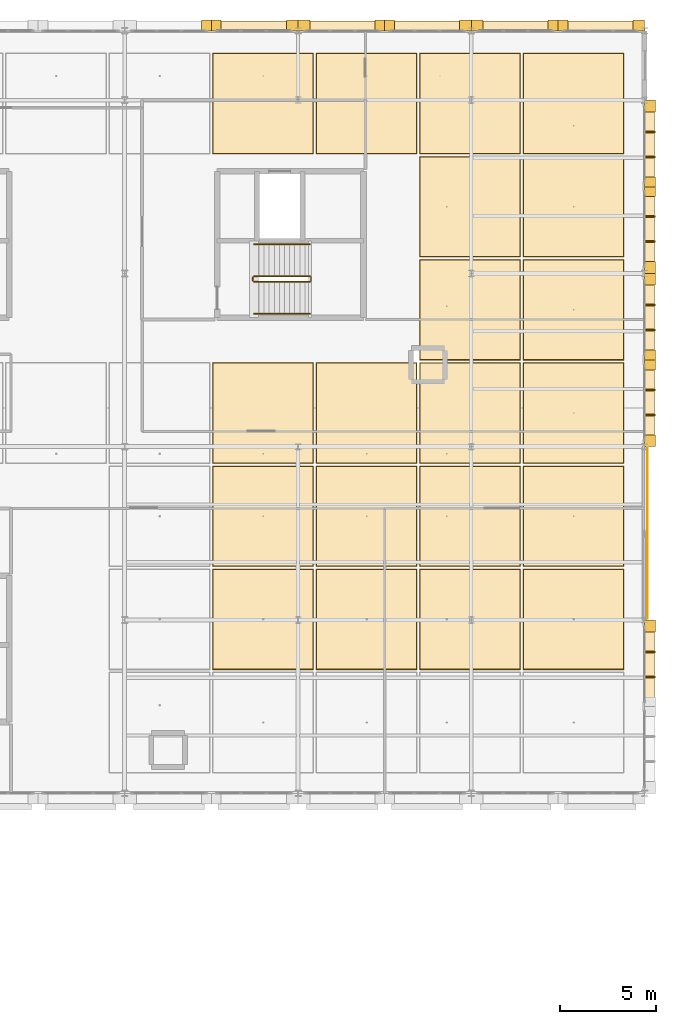
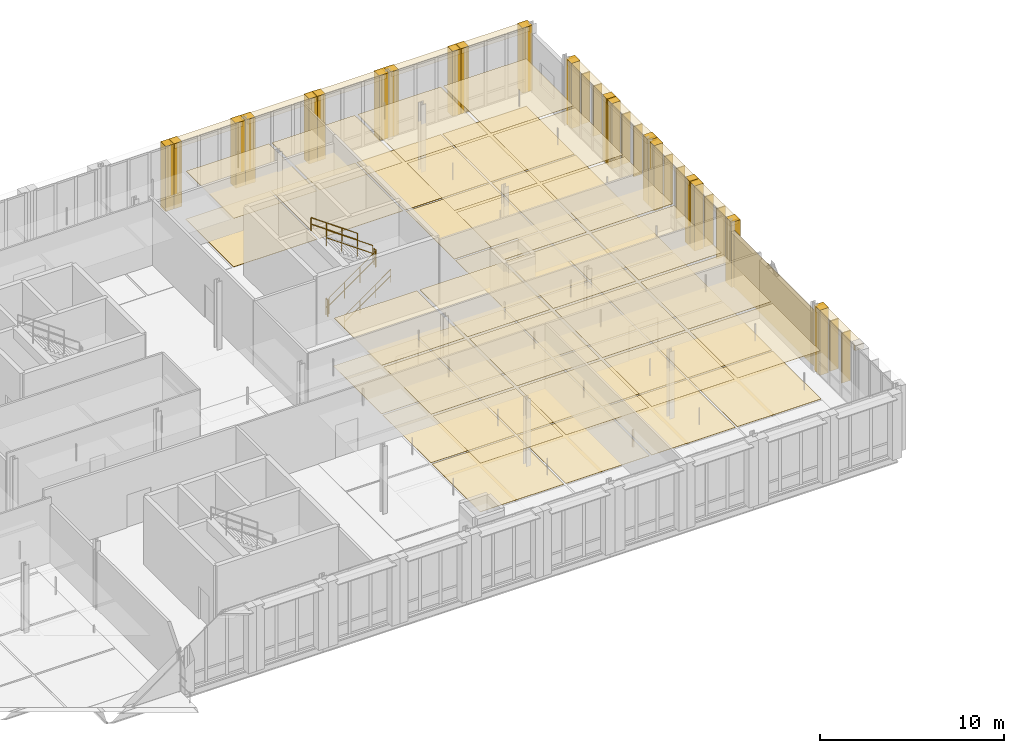
# One storey, part 89 of 89: 71 coverings, 10 shading devices, 6 railings.
"""IFC4 building model written with IfcOpenShell, lengths in metres."""

from ifc_helpers import new_model, si_unit, direction, frame, origin, origin_2d, place, context, subcontext, project, spatial, rectangle, circle, extrude, material, layer, layer_set, type_object, element, save


model = new_model("IFC4")

# Units and contexts
model_context = context("Model", 3, precision=1e-05, world=origin(), true_north=direction((0.0, 1.0)))
body_context = subcontext(model_context, "Body", "Model", "MODEL_VIEW")
ifc_project = project(units=[si_unit("LENGTHUNIT", "METRE"), si_unit("AREAUNIT", "SQUARE_METRE"), si_unit("VOLUMEUNIT", "CUBIC_METRE"), si_unit("PLANEANGLEUNIT", "RADIAN"), si_unit("MASSUNIT", "GRAM", prefix="KILO"), si_unit("THERMODYNAMICTEMPERATUREUNIT", "KELVIN"), si_unit("POWERUNIT", "WATT")], contexts=[model_context])

# Site, building, storey
site_placement = place(None, origin())
site = spatial("IfcSite", under=ifc_project, at=site_placement, CompositionType="ELEMENT")
building_placement = place(site_placement, origin())
building = spatial("IfcBuilding", under=site, at=building_placement, Name="Tallowbark Science Centre", CompositionType="ELEMENT")
storey_placement = place(building_placement, frame((0.0, 0.0, 14.39990234375)))
storey = spatial("IfcBuildingStorey", under=building, at=storey_placement, Name="L03", CompositionType="ELEMENT", Elevation=14.39990234375)

# Coverings
ifc_material_1 = material(Name="Mineral-Fibre Acoustic Ceiling Tile Grid")
ifc_layer_1 = layer(ifc_material_1, 0.01806640625)
ifc_layer_set_1 = layer_set([ifc_layer_1], Name="Mineral-Fibre Acoustic Ceiling Tile Grid")
covering_type_1 = type_object("IfcCoveringType", Name="CLG-ACT-18", PredefinedType="CEILING", material=ifc_layer_set_1)
for number, where, z_axis, x_axis, name in (
    (1, (137.6875, 81.03564453125, 3.191162109375), (0.0, 0.0, 1.0), (1.0, 0.0, 0.0), "Suspended Ceiling L03-1045"),
    (2, (137.6875, 86.392822265625, 3.191162109375), (0.0, 0.0, 1.0), (1.0, 0.0, 0.0), "Suspended Ceiling L03-1046"),
    (3, (137.6875, 91.75, 3.191162109375), (0.0, 0.0, 1.0), (1.0, 0.0, 0.0), "Suspended Ceiling L03-1047"),
    (4, (137.6875, 107.8212890625, 3.191162109375), (0.0, 0.0, 1.0), (1.0, 0.0, 0.0), "Suspended Ceiling L03-1048"),
    (5, (143.0625, 81.03564453125, 3.191162109375), (0.0, 0.0, 1.0), (1.0, 0.0, 0.0), "Suspended Ceiling L03-1050"),
    (6, (143.0625, 86.392822265625, 3.191162109375), (0.0, 0.0, 1.0), (1.0, 0.0, 0.0), "Suspended Ceiling L03-1051"),
    (7, (143.0625, 91.75, 3.191162109375), (0.0, 0.0, 1.0), (1.0, 0.0, 0.0), "Suspended Ceiling L03-1052"),
    (8, (143.0625, 107.8212890625, 3.191162109375), (0.0, 0.0, 1.0), (1.0, 0.0, 0.0), "Suspended Ceiling L03-1053"),
    (9, (148.4375, 81.03564453125, 3.191162109375), (0.0, 0.0, 1.0), (1.0, 0.0, 0.0), "Suspended Ceiling L03-1055"),
    (10, (148.4375, 86.392822265625, 3.191162109375), (0.0, 0.0, 1.0), (1.0, 0.0, 0.0), "Suspended Ceiling L03-1056"),
    (11, (148.4375, 91.75, 3.191162109375), (0.0, 0.0, 1.0), (1.0, 0.0, 0.0), "Suspended Ceiling L03-1057"),
    (12, (148.4375, 97.107177734375, 3.191162109375), (0.0, 0.0, 1.0), (1.0, 0.0, 0.0), "Suspended Ceiling L03-1058"),
    (13, (148.4375, 102.46435546875, 3.191162109375), (0.0, 0.0, 1.0), (1.0, 0.0, 0.0), "Suspended Ceiling L03-1059"),
    (14, (148.4375, 107.8212890625, 3.191162109375), (0.0, 0.0, 1.0), (1.0, 0.0, 0.0), "Suspended Ceiling L03-1060"),
    (15, (153.8125, 81.03564453125, 3.191162109375), (0.0, 0.0, 1.0), (1.0, 0.0, 0.0), "Suspended Ceiling L03-1062"),
    (16, (153.8125, 86.392822265625, 3.191162109375), (0.0, 0.0, 1.0), (1.0, 0.0, 0.0), "Suspended Ceiling L03-1063"),
    (17, (153.8125, 91.75, 3.191162109375), (0.0, 0.0, 1.0), (1.0, 0.0, 0.0), "Suspended Ceiling L03-1064"),
    (18, (153.8125, 97.107177734375, 3.191162109375), (0.0, 0.0, 1.0), (1.0, 0.0, 0.0), "Suspended Ceiling L03-1065"),
    (19, (153.8125, 102.46435546875, 3.191162109375), (0.0, 0.0, 1.0), (1.0, 0.0, 0.0), "Suspended Ceiling L03-1066"),
    (20, (153.8125, 107.8212890625, 3.191162109375), (0.0, 0.0, 1.0), (1.0, 0.0, 0.0), "Suspended Ceiling L03-1067"),
):
    element("IfcCovering", number, at=place(storey_placement, frame(where, z_axis=z_axis, x_axis=x_axis)), inside=storey, type_object=covering_type_1, Name=name, PredefinedType="CEILING", context=body_context, shape_type="SweptSolid", body=[
        extrude(rectangle(XDim=5.195068359375, YDim=5.177001953125, at=origin_2d()), origin(), (0.0, 0.0, 1.0), 0.01806640625),
    ])
ifc_material_2 = material(Name="White Architectural Precast Concrete Grade N40 (40 MPa)", Category="concrete")
ifc_layer_2 = layer(ifc_material_2, 0.1201171875)
ifc_layer_set_2 = layer_set([ifc_layer_2], Name="White Architectural Precast Concrete Grade N40 (40 MPa)")
covering_type_2 = type_object("IfcCoveringType", Name="COV-PRC-CLAD", PredefinedType="CLADDING", material=ifc_layer_set_2)
covering_1_placement = place(storey_placement, frame((139.195068359375, 111.8798828125, 0.0), z_axis=(0.0, 0.0, 1.0), x_axis=(-1.0, 0.0, 0.0)))
element("IfcCovering", 21, at=covering_1_placement, inside=storey, type_object=covering_type_2, Name="Postmodern Deep Precast Pier CW-L03-174-1", PredefinedType="CLADDING", context=body_context, shape_type="SweptSolid", body=[
    extrude(rectangle(XDim=0.610107421875, YDim=0.56005859375, at=origin_2d()), origin(), (0.0, 0.0, 1.0), 4.320068359375),
])
for number, where, z_axis, x_axis, name in (
    (22, (135.2548828125, 111.8798828125, 0.0), (0.0, 0.0, 1.0), (-1.0, 0.0, 0.0), "Postmodern Deep Precast Pier CW-L03-174-2"),
    (23, (134.7451171875, 111.8798828125, 0.0), (0.0, 0.0, 1.0), (-1.0, 0.0, 0.0), "Postmodern Deep Precast Pier CW-L03-175-1"),
):
    element("IfcCovering", number, at=place(storey_placement, frame(where, z_axis=z_axis, x_axis=x_axis)), inside=storey, type_object=covering_type_2, Name=name, PredefinedType="CLADDING", context=body_context, shape_type="SweptSolid", body=[
        extrude(rectangle(XDim=0.510009765625, YDim=0.56005859375, at=origin_2d()), origin(), (0.0, 0.0, 1.0), 4.320068359375),
    ])
covering_2_placement = place(storey_placement, frame((148.195068359375, 111.8798828125, 0.0), z_axis=(0.0, 0.0, 1.0), x_axis=(-1.0, 0.0, 0.0)))
element("IfcCovering", 24, at=covering_2_placement, inside=storey, type_object=covering_type_2, Name="Postmodern Deep Precast Pier CW-L03-178-1", PredefinedType="CLADDING", context=body_context, shape_type="SweptSolid", body=[
    extrude(rectangle(XDim=0.610107421875, YDim=0.56005859375, at=origin_2d()), origin(), (0.0, 0.0, 1.0), 4.320068359375),
])
for number, where, z_axis, x_axis, name in (
    (25, (144.2548828125, 111.8798828125, 0.0), (0.0, 0.0, 1.0), (-1.0, 0.0, 0.0), "Postmodern Deep Precast Pier CW-L03-178-2"),
    (26, (143.7451171875, 111.8798828125, 0.0), (0.0, 0.0, 1.0), (-1.0, 0.0, 0.0), "Postmodern Deep Precast Pier CW-L03-179-1"),
):
    element("IfcCovering", number, at=place(storey_placement, frame(where, z_axis=z_axis, x_axis=x_axis)), inside=storey, type_object=covering_type_2, Name=name, PredefinedType="CLADDING", context=body_context, shape_type="SweptSolid", body=[
        extrude(rectangle(XDim=0.510009765625, YDim=0.56005859375, at=origin_2d()), origin(), (0.0, 0.0, 1.0), 4.320068359375),
    ])
for number, where, z_axis, x_axis, name in (
    (27, (139.804931640625, 111.8798828125, 0.0), (0.0, 0.0, 1.0), (-1.0, 0.0, 0.0), "Postmodern Deep Precast Pier CW-L03-179-2"),
    (28, (157.195068359375, 111.8798828125, 0.0), (0.0, 0.0, 1.0), (-1.0, 0.0, 0.0), "Postmodern Deep Precast Pier CW-L03-182-1"),
):
    element("IfcCovering", number, at=place(storey_placement, frame(where, z_axis=z_axis, x_axis=x_axis)), inside=storey, type_object=covering_type_2, Name=name, PredefinedType="CLADDING", context=body_context, shape_type="SweptSolid", body=[
        extrude(rectangle(XDim=0.610107421875, YDim=0.56005859375, at=origin_2d()), origin(), (0.0, 0.0, 1.0), 4.320068359375),
    ])
for number, where, z_axis, x_axis, name in (
    (29, (153.2548828125, 111.8798828125, 0.0), (0.0, 0.0, 1.0), (-1.0, 0.0, 0.0), "Postmodern Deep Precast Pier CW-L03-182-2"),
    (30, (152.7451171875, 111.8798828125, 0.0), (0.0, 0.0, 1.0), (-1.0, 0.0, 0.0), "Postmodern Deep Precast Pier CW-L03-183-1"),
):
    element("IfcCovering", number, at=place(storey_placement, frame(where, z_axis=z_axis, x_axis=x_axis)), inside=storey, type_object=covering_type_2, Name=name, PredefinedType="CLADDING", context=body_context, shape_type="SweptSolid", body=[
        extrude(rectangle(XDim=0.510009765625, YDim=0.56005859375, at=origin_2d()), origin(), (0.0, 0.0, 1.0), 4.320068359375),
    ])
for number, where, z_axis, x_axis, name in (
    (31, (148.804931640625, 111.8798828125, 0.0), (0.0, 0.0, 1.0), (-1.0, 0.0, 0.0), "Postmodern Deep Precast Pier CW-L03-183-2"),
    (32, (157.780029296875, 80.695068359375, 0.0), (0.0, 0.0, 1.0), (0.0, 1.0, 0.0), "Postmodern Deep Precast Pier CW-L03-185-2"),
    (33, (157.780029296875, 90.304931640625, 0.0), (0.0, 0.0, 1.0), (0.0, 1.0, 0.0), "Postmodern Deep Precast Pier CW-L03-186-1"),
):
    element("IfcCovering", number, at=place(storey_placement, frame(where, z_axis=z_axis, x_axis=x_axis)), inside=storey, type_object=covering_type_2, Name=name, PredefinedType="CLADDING", context=body_context, shape_type="SweptSolid", body=[
        extrude(rectangle(XDim=0.610107421875, YDim=0.56005859375, at=origin_2d()), origin(), (0.0, 0.0, 1.0), 4.320068359375),
    ])
for number, where, z_axis, x_axis, name in (
    (34, (157.780029296875, 94.2451171875, 0.0), (0.0, 0.0, 1.0), (0.0, 1.0, 0.0), "Postmodern Deep Precast Pier CW-L03-186-2"),
    (35, (157.780029296875, 94.7548828125, 0.0), (0.0, 0.0, 1.0), (0.0, 1.0, 0.0), "Postmodern Deep Precast Pier CW-L03-187-1"),
):
    element("IfcCovering", number, at=place(storey_placement, frame(where, z_axis=z_axis, x_axis=x_axis)), inside=storey, type_object=covering_type_2, Name=name, PredefinedType="CLADDING", context=body_context, shape_type="SweptSolid", body=[
        extrude(rectangle(XDim=0.510009765625, YDim=0.56005859375, at=origin_2d()), origin(), (0.0, 0.0, 1.0), 4.320068359375),
    ])
for number, where, z_axis, x_axis, name in (
    (36, (157.780029296875, 98.695068359375, 0.0), (0.0, 0.0, 1.0), (0.0, 1.0, 0.0), "Postmodern Deep Precast Pier CW-L03-187-2"),
    (37, (157.780029296875, 99.304931640625, 0.0), (0.0, 0.0, 1.0), (0.0, 1.0, 0.0), "Postmodern Deep Precast Pier CW-L03-188-1"),
):
    element("IfcCovering", number, at=place(storey_placement, frame(where, z_axis=z_axis, x_axis=x_axis)), inside=storey, type_object=covering_type_2, Name=name, PredefinedType="CLADDING", context=body_context, shape_type="SweptSolid", body=[
        extrude(rectangle(XDim=0.610107421875, YDim=0.56005859375, at=origin_2d()), origin(), (0.0, 0.0, 1.0), 4.320068359375),
    ])
for number, where, z_axis, x_axis, name in (
    (38, (157.780029296875, 103.2451171875, 0.0), (0.0, 0.0, 1.0), (0.0, 1.0, 0.0), "Postmodern Deep Precast Pier CW-L03-188-2"),
    (39, (157.780029296875, 103.7548828125, 0.0), (0.0, 0.0, 1.0), (0.0, 1.0, 0.0), "Postmodern Deep Precast Pier CW-L03-189-1"),
):
    element("IfcCovering", number, at=place(storey_placement, frame(where, z_axis=z_axis, x_axis=x_axis)), inside=storey, type_object=covering_type_2, Name=name, PredefinedType="CLADDING", context=body_context, shape_type="SweptSolid", body=[
        extrude(rectangle(XDim=0.510009765625, YDim=0.56005859375, at=origin_2d()), origin(), (0.0, 0.0, 1.0), 4.320068359375),
    ])
covering_3_placement = place(storey_placement, frame((157.780029296875, 107.695068359375, 0.0), z_axis=(0.0, 0.0, 1.0), x_axis=(0.0, 1.0, 0.0)))
element("IfcCovering", 40, at=covering_3_placement, inside=storey, type_object=covering_type_2, Name="Postmodern Deep Precast Pier CW-L03-189-2", PredefinedType="CLADDING", context=body_context, shape_type="SweptSolid", body=[
    extrude(rectangle(XDim=0.610107421875, YDim=0.56005859375, at=origin_2d()), origin(), (0.0, 0.0, 1.0), 4.320068359375),
])
ifc_material_3 = material(Name="Vitrified Ochre Terracotta Architectural Rainscreen", Category="masonry")
ifc_layer_3 = layer(ifc_material_3, 0.0380859375)
ifc_layer_set_3 = layer_set([ifc_layer_3], Name="Vitrified Ochre Terracotta Architectural Rainscreen")
covering_type_3 = type_object("IfcCoveringType", Name="COV-TER-CLAD", PredefinedType="CLADDING", material=ifc_layer_set_3)
for number, where, z_axis, x_axis, name in (
    (41, (137.199951171875, 111.860107421875, 3.97021484375), (0.0, 0.0, 1.0), (-1.0, 0.0, 0.0), "Postmodern Terracotta Cornice Band CW-L03-174"),
    (42, (146.199951171875, 111.860107421875, 3.97021484375), (0.0, 0.0, 1.0), (-1.0, 0.0, 0.0), "Postmodern Terracotta Cornice Band CW-L03-178"),
    (43, (141.800048828125, 111.860107421875, 3.97021484375), (0.0, 0.0, 1.0), (-1.0, 0.0, 0.0), "Postmodern Terracotta Cornice Band CW-L03-179"),
    (44, (155.199951171875, 111.860107421875, 3.97021484375), (0.0, 0.0, 1.0), (-1.0, 0.0, 0.0), "Postmodern Terracotta Cornice Band CW-L03-182"),
    (45, (150.800048828125, 111.860107421875, 3.97021484375), (0.0, 0.0, 1.0), (-1.0, 0.0, 0.0), "Postmodern Terracotta Cornice Band CW-L03-183"),
    (46, (157.760009765625, 78.699951171875, 3.97021484375), (0.0, 0.0, 1.0), (0.0, 1.0, 0.0), "Postmodern Terracotta Cornice Band CW-L03-185"),
):
    element("IfcCovering", number, at=place(storey_placement, frame(where, z_axis=z_axis, x_axis=x_axis)), inside=storey, type_object=covering_type_3, Name=name, PredefinedType="CLADDING", context=body_context, shape_type="SweptSolid", body=[
        extrude(rectangle(XDim=4.300048828125, YDim=0.52001953125, at=origin_2d()), origin(), (0.0, 0.0, 1.0), 0.340087890625),
    ])
covering_4_placement = place(storey_placement, frame((157.64404296875, 85.5, 0.050048828125), z_axis=(0.0, 0.0, 1.0), x_axis=(0.0, 1.0, 0.0)))
element("IfcCovering", 47, at=covering_4_placement, inside=storey, type_object=covering_type_3, Name="Architectural Rainscreen OBS-E-L03-81", PredefinedType="CLADDING", context=body_context, shape_type="SweptSolid", body=[
    extrude(rectangle(XDim=8.8798828125, YDim=0.0380859375, at=origin_2d()), origin(), (0.0, 0.0, 1.0), 3.74609375),
])
for number, where, z_axis, x_axis, name in (
    (48, (157.760009765625, 92.300048828125, 3.97021484375), (0.0, 0.0, 1.0), (0.0, 1.0, 0.0), "Postmodern Terracotta Cornice Band CW-L03-186"),
    (49, (157.760009765625, 96.699951171875, 3.97021484375), (0.0, 0.0, 1.0), (0.0, 1.0, 0.0), "Postmodern Terracotta Cornice Band CW-L03-187"),
    (50, (157.760009765625, 101.300048828125, 3.97021484375), (0.0, 0.0, 1.0), (0.0, 1.0, 0.0), "Postmodern Terracotta Cornice Band CW-L03-188"),
    (51, (157.760009765625, 105.699951171875, 3.97021484375), (0.0, 0.0, 1.0), (0.0, 1.0, 0.0), "Postmodern Terracotta Cornice Band CW-L03-189"),
):
    element("IfcCovering", number, at=place(storey_placement, frame(where, z_axis=z_axis, x_axis=x_axis)), inside=storey, type_object=covering_type_3, Name=name, PredefinedType="CLADDING", context=body_context, shape_type="SweptSolid", body=[
        extrude(rectangle(XDim=4.300048828125, YDim=0.52001953125, at=origin_2d()), origin(), (0.0, 0.0, 1.0), 0.340087890625),
    ])
ifc_material_4 = material(Name="Engineered Blackbutt Gallery Timber Flooring", Category="wood")
ifc_layer_4 = layer(ifc_material_4, 0.02197265625)
ifc_layer_set_4 = layer_set([ifc_layer_4], Name="Engineered Blackbutt Gallery Timber Flooring")
covering_type_4 = type_object("IfcCoveringType", Name="FLR-TIM-22", PredefinedType="FLOORING", material=ifc_layer_set_4)
for number, where, z_axis, x_axis, name in (
    (52, (137.6875, 81.03564453125, 0.0), (0.0, 0.0, 1.0), (1.0, 0.0, 0.0), "Floor Finish L03-1045"),
    (53, (137.6875, 86.392822265625, 0.0), (0.0, 0.0, 1.0), (1.0, 0.0, 0.0), "Floor Finish L03-1046"),
    (54, (137.6875, 91.75, 0.0), (0.0, 0.0, 1.0), (1.0, 0.0, 0.0), "Floor Finish L03-1047"),
    (55, (137.6875, 107.8212890625, 0.0), (0.0, 0.0, 1.0), (1.0, 0.0, 0.0), "Floor Finish L03-1048"),
    (56, (143.0625, 81.03564453125, 0.0), (0.0, 0.0, 1.0), (1.0, 0.0, 0.0), "Floor Finish L03-1050"),
    (57, (143.0625, 86.392822265625, 0.0), (0.0, 0.0, 1.0), (1.0, 0.0, 0.0), "Floor Finish L03-1051"),
    (58, (143.0625, 91.75, 0.0), (0.0, 0.0, 1.0), (1.0, 0.0, 0.0), "Floor Finish L03-1052"),
    (59, (143.0625, 107.8212890625, 0.0), (0.0, 0.0, 1.0), (1.0, 0.0, 0.0), "Floor Finish L03-1053"),
    (60, (148.4375, 81.03564453125, 0.0), (0.0, 0.0, 1.0), (1.0, 0.0, 0.0), "Floor Finish L03-1055"),
    (61, (148.4375, 86.392822265625, 0.0), (0.0, 0.0, 1.0), (1.0, 0.0, 0.0), "Floor Finish L03-1056"),
    (62, (148.4375, 91.75, 0.0), (0.0, 0.0, 1.0), (1.0, 0.0, 0.0), "Floor Finish L03-1057"),
    (63, (148.4375, 97.107177734375, 0.0), (0.0, 0.0, 1.0), (1.0, 0.0, 0.0), "Floor Finish L03-1058"),
    (64, (148.4375, 102.46435546875, 0.0), (0.0, 0.0, 1.0), (1.0, 0.0, 0.0), "Floor Finish L03-1059"),
    (65, (148.4375, 107.8212890625, 0.0), (0.0, 0.0, 1.0), (1.0, 0.0, 0.0), "Floor Finish L03-1060"),
    (66, (153.8125, 81.03564453125, 0.0), (0.0, 0.0, 1.0), (1.0, 0.0, 0.0), "Floor Finish L03-1062"),
    (67, (153.8125, 86.392822265625, 0.0), (0.0, 0.0, 1.0), (1.0, 0.0, 0.0), "Floor Finish L03-1063"),
    (68, (153.8125, 91.75, 0.0), (0.0, 0.0, 1.0), (1.0, 0.0, 0.0), "Floor Finish L03-1064"),
    (69, (153.8125, 97.107177734375, 0.0), (0.0, 0.0, 1.0), (1.0, 0.0, 0.0), "Floor Finish L03-1065"),
    (70, (153.8125, 102.46435546875, 0.0), (0.0, 0.0, 1.0), (1.0, 0.0, 0.0), "Floor Finish L03-1066"),
    (71, (153.8125, 107.8212890625, 0.0), (0.0, 0.0, 1.0), (1.0, 0.0, 0.0), "Floor Finish L03-1067"),
):
    element("IfcCovering", number, at=place(storey_placement, frame(where, z_axis=z_axis, x_axis=x_axis)), inside=storey, type_object=covering_type_4, Name=name, PredefinedType="FLOORING", context=body_context, shape_type="SweptSolid", body=[
        extrude(rectangle(XDim=5.2548828125, YDim=5.237060546875, at=origin_2d()), origin(), (0.0, 0.0, 1.0), 0.02197265625),
    ])

# Railings
ifc_material_5 = material(Name="Galvanised Painted Steel and Laminated Glass Balustrade", Category="steel")
ifc_layer_5 = layer(ifc_material_5, 0.070068359375)
ifc_layer_set_5 = layer_set([ifc_layer_5], Name="Galvanised Painted Steel and Laminated Glass Balustrade")
railing_type_1 = type_object("IfcRailingType", Name="RLG-BAL-1150", PredefinedType="BALUSTRADE", material=ifc_layer_set_5)
railing_1_placement = place(storey_placement, frame((137.2099609375, 98.56005859375, 0.1875)))
element("IfcRailing", 72, at=railing_1_placement, inside=storey, type_object=railing_type_1, Name="L03 ST-04 stair guard 1", PredefinedType="BALUSTRADE", context=body_context, shape_type="SweptSolid", body=[
    extrude(circle(Radius=0.02392578125, at=origin_2d()), frame((0.0, 0.0, 1.076171875), z_axis=(0.816330724661, 0.0, 0.577584753931), x_axis=(0.0, 1.0, 0.0)), (0.0, 0.0, 1.0), 3.57080078125),
    extrude(circle(Radius=0.02392578125, at=origin_2d()), frame((0.0, 0.0, 0.550048828125), z_axis=(0.816330724661, 0.0, 0.577584753931), x_axis=(0.0, 1.0, 0.0)), (0.0, 0.0, 1.0), 3.57080078125),
    extrude(circle(Radius=0.02099609375, at=origin_2d()), origin(), (0.0, 0.0, 1.0), 1.052001953125),
    extrude(circle(Radius=0.02099609375, at=origin_2d()), frame((0.9716796875, 0.0, 0.6875)), (0.0, 0.0, 1.0), 1.052001953125),
    extrude(circle(Radius=0.02099609375, at=origin_2d()), frame((1.943359375, 0.0, 1.375)), (0.0, 0.0, 1.0), 1.052001953125),
    extrude(circle(Radius=0.02099609375, at=origin_2d()), frame((2.9150390625, 0.0, 2.0625)), (0.0, 0.0, 1.0), 1.052001953125),
])
railing_2_placement = place(storey_placement, frame((140.175048828125, 98.610107421875, 2.25)))
element("IfcRailing", 73, at=railing_2_placement, inside=storey, type_object=railing_type_1, Name="L03 ST-04 stair guard 2", PredefinedType="BALUSTRADE", context=body_context, shape_type="SweptSolid", body=[
    extrude(circle(Radius=0.02392578125, at=origin_2d()), frame((0.0, 0.0, 1.076171875), z_axis=(0.0, 1.0, 0.0), x_axis=(-1.0, 0.0, 0.0)), (0.0, 0.0, 1.0), 0.199951171875),
    extrude(circle(Radius=0.02392578125, at=origin_2d()), frame((0.0, 0.0, 0.550048828125), z_axis=(0.0, 1.0, 0.0), x_axis=(-1.0, 0.0, 0.0)), (0.0, 0.0, 1.0), 0.199951171875),
    extrude(circle(Radius=0.02099609375, at=origin_2d()), origin(), (0.0, 0.0, 1.0), 1.052001953125),
    extrude(circle(Radius=0.02099609375, at=origin_2d()), frame((0.0, 0.199951171875, 0.0)), (0.0, 0.0, 1.0), 1.052001953125),
])
railing_3_placement = place(storey_placement, frame((140.125, 98.860107421875, 2.4375)))
element("IfcRailing", 74, at=railing_3_placement, inside=storey, type_object=railing_type_1, Name="L03 ST-04 stair guard 3", PredefinedType="BALUSTRADE", context=body_context, shape_type="SweptSolid", body=[
    extrude(circle(Radius=0.02392578125, at=origin_2d()), frame((0.0, 0.0, 1.076171875), z_axis=(-0.816330724661, 0.0, 0.577584753931), x_axis=(0.0, -1.0, 0.0)), (0.0, 0.0, 1.0), 3.57080078125),
    extrude(circle(Radius=0.02392578125, at=origin_2d()), frame((0.0, 0.0, 0.550048828125), z_axis=(-0.816330724661, 0.0, 0.577584753931), x_axis=(0.0, -1.0, 0.0)), (0.0, 0.0, 1.0), 3.57080078125),
    extrude(circle(Radius=0.02099609375, at=origin_2d()), origin(), (0.0, 0.0, 1.0), 1.052001953125),
    extrude(circle(Radius=0.02099609375, at=origin_2d()), frame((-0.9716796875, 0.0, 0.6875)), (0.0, 0.0, 1.0), 1.052001953125),
    extrude(circle(Radius=0.02099609375, at=origin_2d()), frame((-1.943359375, 0.0, 1.375)), (0.0, 0.0, 1.0), 1.052001953125),
    extrude(circle(Radius=0.02099609375, at=origin_2d()), frame((-2.9150390625, 0.0, 2.0625)), (0.0, 0.0, 1.0), 1.052001953125),
])
railing_4_placement = place(storey_placement, frame((137.159912109375, 98.610107421875, 0.0)))
element("IfcRailing", 75, at=railing_4_placement, inside=storey, type_object=railing_type_1, Name="L03 ST-04 stair guard 4", PredefinedType="BALUSTRADE", context=body_context, shape_type="SweptSolid", body=[
    extrude(circle(Radius=0.02392578125, at=origin_2d()), frame((0.0, 0.0, 1.076171875), z_axis=(0.0, 1.0, 0.0), x_axis=(-1.0, 0.0, 0.0)), (0.0, 0.0, 1.0), 0.199951171875),
    extrude(circle(Radius=0.02392578125, at=origin_2d()), frame((0.0, 0.0, 0.550048828125), z_axis=(0.0, 1.0, 0.0), x_axis=(-1.0, 0.0, 0.0)), (0.0, 0.0, 1.0), 0.199951171875),
    extrude(circle(Radius=0.02099609375, at=origin_2d()), origin(), (0.0, 0.0, 1.0), 1.052001953125),
    extrude(circle(Radius=0.02099609375, at=origin_2d()), frame((0.0, 0.199951171875, 0.0)), (0.0, 0.0, 1.0), 1.052001953125),
])
ifc_material_6 = material(Name="Brushed Grade 316 Stainless Steel Handrail", Category="steel")
ifc_layer_6 = layer(ifc_material_6, 0.050048828125)
ifc_layer_set_6 = layer_set([ifc_layer_6], Name="Brushed Grade 316 Stainless Steel Handrail")
railing_type_2 = type_object("IfcRailingType", Name="RLG-HDR-950", PredefinedType="HANDRAIL", material=ifc_layer_set_6)
railing_5_placement = place(storey_placement, frame((137.2099609375, 96.89990234375, 0.1875)))
element("IfcRailing", 76, at=railing_5_placement, inside=storey, type_object=railing_type_2, Name="L03 ST-04 stair handrail 1", PredefinedType="HANDRAIL", context=body_context, shape_type="SweptSolid", body=[
    extrude(circle(Radius=0.02392578125, at=origin_2d()), frame((0.0, 0.0, 0.8759765625), z_axis=(0.816330724661, 0.0, 0.577584753931), x_axis=(0.0, 1.0, 0.0)), (0.0, 0.0, 1.0), 3.57080078125),
    extrude(circle(Radius=0.02392578125, at=origin_2d()), frame((0.0, 0.0, 0.449951171875), z_axis=(0.816330724661, 0.0, 0.577584753931), x_axis=(0.0, 1.0, 0.0)), (0.0, 0.0, 1.0), 3.57080078125),
    extrude(circle(Radius=0.02099609375, at=origin_2d()), origin(), (0.0, 0.0, 1.0), 0.851806640625),
    extrude(circle(Radius=0.02099609375, at=origin_2d()), frame((0.9716796875, 0.0, 0.6875)), (0.0, 0.0, 1.0), 0.851806640625),
    extrude(circle(Radius=0.02099609375, at=origin_2d()), frame((1.943359375, 0.0, 1.375)), (0.0, 0.0, 1.0), 0.851806640625),
    extrude(circle(Radius=0.02099609375, at=origin_2d()), frame((2.9150390625, 0.0, 2.0625)), (0.0, 0.0, 1.0), 0.851806640625),
])
railing_6_placement = place(storey_placement, frame((140.125, 100.52001953125, 2.4375)))
element("IfcRailing", 77, at=railing_6_placement, inside=storey, type_object=railing_type_2, Name="L03 ST-04 stair handrail 2", PredefinedType="HANDRAIL", context=body_context, shape_type="SweptSolid", body=[
    extrude(circle(Radius=0.02392578125, at=origin_2d()), frame((0.0, 0.0, 0.8759765625), z_axis=(-0.816330724661, 0.0, 0.577584753931), x_axis=(0.0, -1.0, 0.0)), (0.0, 0.0, 1.0), 3.57080078125),
    extrude(circle(Radius=0.02392578125, at=origin_2d()), frame((0.0, 0.0, 0.449951171875), z_axis=(-0.816330724661, 0.0, 0.577584753931), x_axis=(0.0, -1.0, 0.0)), (0.0, 0.0, 1.0), 3.57080078125),
    extrude(circle(Radius=0.02099609375, at=origin_2d()), origin(), (0.0, 0.0, 1.0), 0.851806640625),
    extrude(circle(Radius=0.02099609375, at=origin_2d()), frame((-0.9716796875, 0.0, 0.6875)), (0.0, 0.0, 1.0), 0.851806640625),
    extrude(circle(Radius=0.02099609375, at=origin_2d()), frame((-1.943359375, 0.0, 1.375)), (0.0, 0.0, 1.0), 0.851806640625),
    extrude(circle(Radius=0.02099609375, at=origin_2d()), frame((-2.9150390625, 0.0, 2.0625)), (0.0, 0.0, 1.0), 0.851806640625),
])

# Shading devices
ifc_material_7 = material(Name="Sandstone-Finished Architectural Aluminium Solar Fin", Category="masonry")
shading_device_type = type_object("IfcShadingDeviceType", Name="SHD-FIN-400", PredefinedType="JALOUSIE", material=ifc_material_7)
for number, where, z_axis, x_axis, name in (
    (78, (157.780029296875, 78.050048828125, 0.92529296875), (0.0, 0.0, 1.0), (0.0, 1.0, 0.0), "Vertical Solar Fin CW-L03-185-1"),
    (79, (157.780029296875, 79.35009765625, 0.92529296875), (0.0, 0.0, 1.0), (0.0, 1.0, 0.0), "Vertical Solar Fin CW-L03-185-2"),
    (80, (157.780029296875, 91.64990234375, 0.92529296875), (0.0, 0.0, 1.0), (0.0, 1.0, 0.0), "Vertical Solar Fin CW-L03-186-1"),
    (81, (157.780029296875, 92.949951171875, 0.92529296875), (0.0, 0.0, 1.0), (0.0, 1.0, 0.0), "Vertical Solar Fin CW-L03-186-2"),
    (82, (157.780029296875, 96.050048828125, 0.92529296875), (0.0, 0.0, 1.0), (0.0, 1.0, 0.0), "Vertical Solar Fin CW-L03-187-1"),
    (83, (157.780029296875, 97.35009765625, 0.92529296875), (0.0, 0.0, 1.0), (0.0, 1.0, 0.0), "Vertical Solar Fin CW-L03-187-2"),
    (84, (157.780029296875, 100.64990234375, 0.92529296875), (0.0, 0.0, 1.0), (0.0, 1.0, 0.0), "Vertical Solar Fin CW-L03-188-1"),
    (85, (157.780029296875, 101.949951171875, 0.92529296875), (0.0, 0.0, 1.0), (0.0, 1.0, 0.0), "Vertical Solar Fin CW-L03-188-2"),
    (86, (157.780029296875, 105.050048828125, 0.92529296875), (0.0, 0.0, 1.0), (0.0, 1.0, 0.0), "Vertical Solar Fin CW-L03-189-1"),
    (87, (157.780029296875, 106.35009765625, 0.92529296875), (0.0, 0.0, 1.0), (0.0, 1.0, 0.0), "Vertical Solar Fin CW-L03-189-2"),
):
    element("IfcShadingDevice", number, at=place(storey_placement, frame(where, z_axis=z_axis, x_axis=x_axis)), inside=storey, type_object=shading_device_type, Name=name, PredefinedType="JALOUSIE", context=body_context, shape_type="SweptSolid", body=[
        extrude(rectangle(XDim=0.074951171875, YDim=0.550048828125, at=origin_2d()), origin(), (0.0, 0.0, 1.0), 3.320068359375),
    ])

save(model, "model.ifc")
